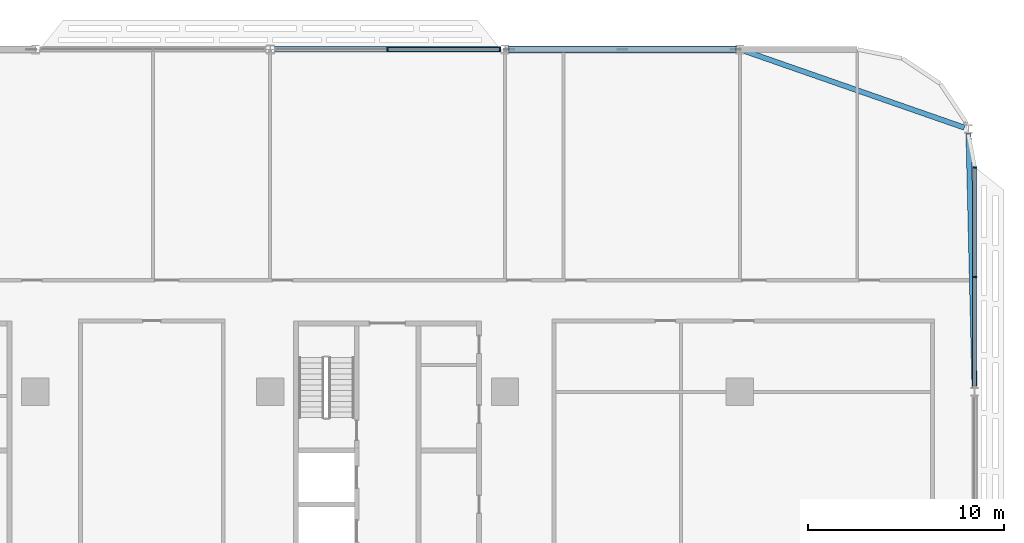
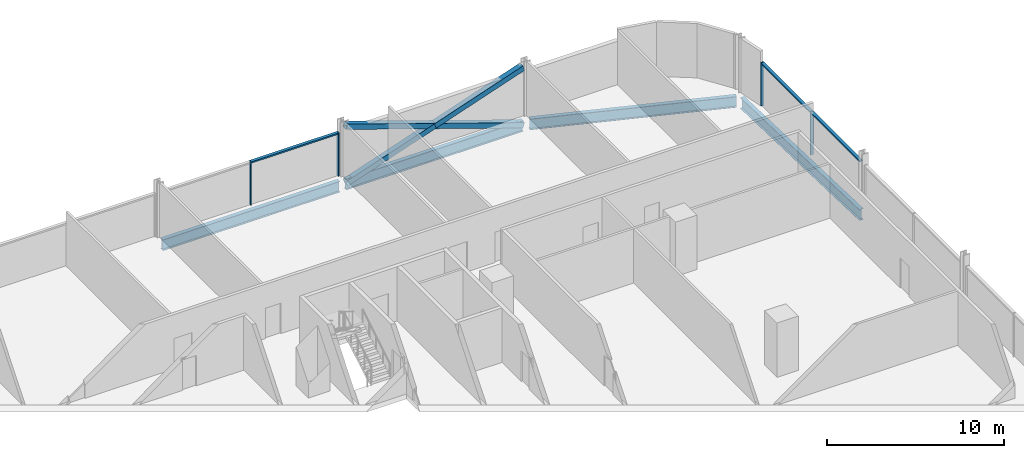
# One storey, part 10 of 29: 10 members, 4 beams, 2 elements without a shape of their own.
"""IFC4 building model written with IfcOpenShell, lengths in metres."""

from ifc_helpers import new_model, si_unit, direction, frame, origin, origin_2d, place, context, subcontext, project, spatial, rectangle, hollow_rectangle, i_section, extrude, material, material_profile, profile_set, type_object, element, aggregate, save


model = new_model("IFC4")

# Units and contexts
model_context = context("Model", 3, precision=1e-05, world=origin(), true_north=direction((0.0, 1.0)))
body_context = subcontext(model_context, "Body", "Model", "MODEL_VIEW")
ifc_project = project(units=[si_unit("LENGTHUNIT", "METRE"), si_unit("AREAUNIT", "SQUARE_METRE"), si_unit("VOLUMEUNIT", "CUBIC_METRE"), si_unit("PLANEANGLEUNIT", "RADIAN"), si_unit("MASSUNIT", "GRAM", prefix="KILO")], contexts=[model_context])

# Site, building, storey
site_placement = place(None, origin())
site = spatial("IfcSite", under=ifc_project, at=site_placement, CompositionType="ELEMENT")
building_placement = place(site_placement, origin())
building = spatial("IfcBuilding", under=site, at=building_placement, Name="Mahtab Terrace Research Tower", CompositionType="ELEMENT")
storey_placement = place(building_placement, frame((0.0, 0.0, 97.10009765625)))
storey = spatial("IfcBuildingStorey", under=building, at=storey_placement, Name="L22", CompositionType="ELEMENT", Elevation=97.10009765625)

# Members
ifc_material_1 = material(Name="Steel ASTM A500 Gr C", Category="steel")
ifc_material_profile_1 = material_profile(ifc_material_1, hollow_rectangle(XDim=0.355712890625, YDim=0.355712890625, WallThickness=0.01904296875, at=origin_2d()), Name="HSS14X14X3/4")
ifc_profile_set_1 = profile_set([ifc_material_profile_1], Name="Steel ASTM A500 Gr C")
member_type_1 = type_object("IfcMemberType", Name="HSS 14x14x3/4 brace XB141434", PredefinedType="BRACE", material=ifc_profile_set_1)
member_1_placement = place(storey_placement, frame((41.79052734375, 29.0, -0.64697265625), z_axis=(-0.946292853795, 0.0, 0.323310740397), x_axis=(0.0, -1.0, 0.0)))
element("IfcMember", 1, at=member_1_placement, inside=storey, type_object=member_type_1, Name="Exoskeleton brace L22 02 a", PredefinedType="BRACE", context=body_context, shape_type="SweptSolid", body=[
    extrude(hollow_rectangle(XDim=0.355712890625, YDim=0.355712890625, WallThickness=0.01904296875, at=origin_2d()), origin(), (0.0, 0.0, 1.0), 12.23828125),
])
for number, where, z_axis, x_axis, name in (
    (2, (30.20947265625, 29.0, -0.64697265625), (0.946286750388, 0.0, 0.323328603809), (0.0, 1.0, 0.0), "Exoskeleton brace L22 02 b1"),
    (3, (36.0, 29.0, 1.33154296875), (0.946298956945, 0.0, 0.323292876639), (0.0, 1.0, 0.0), "Exoskeleton brace L22 02 b2"),
):
    element("IfcMember", number, at=place(storey_placement, frame(where, z_axis=z_axis, x_axis=x_axis)), inside=storey, type_object=member_type_1, Name=name, PredefinedType="BRACE", context=body_context, shape_type="SweptSolid", body=[
        extrude(hollow_rectangle(XDim=0.355712890625, YDim=0.355712890625, WallThickness=0.01904296875, at=origin_2d()), origin(), (0.0, 0.0, 1.0), 6.119140625),
    ])

# Curtain wall, members
ifc_material_2 = material(Name="Laboratory ribbon curtain wall")
curtain_wall_type = type_object("IfcCurtainWallType", Name="Laboratory ribbon curtain wall", PredefinedType="NOTDEFINED", material=ifc_material_2)
curtain_wall_1_placement = place(storey_placement, origin())
curtain_wall_1 = element("IfcCurtainWall", 4, at=curtain_wall_1_placement, inside=storey, type_object=curtain_wall_type, Name="EN.L22.3.5", PredefinedType="NOTDEFINED")
ifc_material_3 = material(Name="Natural anodised aluminium", Category="aluminium")
ifc_material_profile_2 = material_profile(ifc_material_3, rectangle(XDim=0.199951171875, YDim=0.06494140625, at=origin_2d()), Name="MULLION 65x200")
ifc_profile_set_2 = profile_set([ifc_material_profile_2], Name="Natural anodised aluminium")
member_type_2 = type_object("IfcMemberType", Name="Laboratory ribbon curtain wall mullion", PredefinedType="MULLION", material=ifc_profile_set_2)
member_2_placement = place(storey_placement, frame((29.739501953125, 29.0, 0.0), z_axis=(0.0, 0.0, 1.0), x_axis=(0.0, -1.0, 0.0)))
member_2 = element("IfcMember", 5, at=member_2_placement, type_object=member_type_2, Name="CWL-3 mullion 1", PredefinedType="MULLION", context=body_context, shape_type="SweptSolid", body=[
    extrude(rectangle(XDim=0.199951171875, YDim=0.06494140625, at=origin_2d()), origin(), (0.0, 0.0, 1.0), 3.0029296875),
])
member_3_placement = place(storey_placement, frame((24.0, 29.0, 0.0), z_axis=(0.0, 0.0, 1.0), x_axis=(0.0, -1.0, 0.0)))
member_3 = element("IfcMember", 6, at=member_3_placement, type_object=member_type_2, Name="CWL-3 mullion 2", PredefinedType="MULLION", context=body_context, shape_type="SweptSolid", body=[
    extrude(rectangle(XDim=0.199951171875, YDim=0.06494140625, at=origin_2d()), origin(), (0.0, 0.0, 1.0), 3.0029296875),
])

curtain_wall_2_placement = place(storey_placement, origin())
curtain_wall_2 = element("IfcCurtainWall", 7, at=curtain_wall_2_placement, inside=storey, type_object=curtain_wall_type, Name="EN.L22.18.38", PredefinedType="NOTDEFINED")
member_4_placement = place(storey_placement, frame((54.0, 17.364013671875, 0.0), z_axis=(0.0, 0.0, 1.0), x_axis=(-1.0, 0.0, 0.0)))
member_4 = element("IfcMember", 8, at=member_4_placement, type_object=member_type_2, Name="CWL-3 mullion 2", PredefinedType="MULLION", context=body_context, shape_type="SweptSolid", body=[
    extrude(rectangle(XDim=0.199951171875, YDim=0.06494140625, at=origin_2d()), origin(), (0.0, 0.0, 1.0), 3.0029296875),
])
member_5_placement = place(storey_placement, frame((54.0, 22.967529296875, 0.0), z_axis=(0.0, 0.0, 1.0), x_axis=(-1.0, 0.0, 0.0)))
member_5 = element("IfcMember", 9, at=member_5_placement, type_object=member_type_2, Name="CWL-3 mullion 3", PredefinedType="MULLION", context=body_context, shape_type="SweptSolid", body=[
    extrude(rectangle(XDim=0.199951171875, YDim=0.06494140625, at=origin_2d()), origin(), (0.0, 0.0, 1.0), 3.0029296875),
])

# Member
ifc_material_profile_3 = material_profile(ifc_material_3, rectangle(XDim=0.199951171875, YDim=0.10009765625, at=origin_2d()), Name="TRANSOM 100x200")
ifc_profile_set_3 = profile_set([ifc_material_profile_3], Name="Natural anodised aluminium")
member_type_3 = type_object("IfcMemberType", Name="Laboratory ribbon curtain wall transom", PredefinedType="USERDEFINED", material=ifc_profile_set_3)
member_6_placement = place(storey_placement, frame((29.70703125, 29.0, 2.952880859375), z_axis=(-1.0, 0.0, 0.0), x_axis=(0.0, -1.0, 0.0)))
member_6 = element("IfcMember", 10, at=member_6_placement, type_object=member_type_3, Name="CWL-3 transom 1", ObjectType="TRANSOM", PredefinedType="USERDEFINED", context=body_context, shape_type="SweptSolid", body=[
    extrude(rectangle(XDim=0.199951171875, YDim=0.10009765625, at=origin_2d()), origin(), (0.0, 0.0, 1.0), 5.674560546875),
])

aggregate(curtain_wall_1, [member_2, member_3, member_6])

member_7_placement = place(storey_placement, frame((54.0, 11.79296875, 2.952880859375), z_axis=(0.0, 1.0, 0.0), x_axis=(-1.0, 0.0, 0.0)))
member_7 = element("IfcMember", 11, at=member_7_placement, type_object=member_type_3, Name="CWL-3 transom 1", ObjectType="TRANSOM", PredefinedType="USERDEFINED", context=body_context, shape_type="SweptSolid", body=[
    extrude(rectangle(XDim=0.199951171875, YDim=0.10009765625, at=origin_2d()), origin(), (0.0, 0.0, 1.0), 5.53857421875),
])

member_8_placement = place(storey_placement, frame((54.0, 17.396484375, 2.952880859375), z_axis=(0.0, 1.0, 0.0), x_axis=(-1.0, 0.0, 0.0)))
member_8 = element("IfcMember", 12, at=member_8_placement, type_object=member_type_3, Name="CWL-3 transom 2", ObjectType="TRANSOM", PredefinedType="USERDEFINED", context=body_context, shape_type="SweptSolid", body=[
    extrude(rectangle(XDim=0.199951171875, YDim=0.10009765625, at=origin_2d()), origin(), (0.0, 0.0, 1.0), 5.53857421875),
])

aggregate(curtain_wall_2, [member_4, member_5, member_7, member_8])

# Beams
ifc_material_4 = material(Name="Steel ASTM A992 Gr 50", Category="steel")
ifc_material_profile_4 = material_profile(ifc_material_4, i_section(OverallWidth=0.2666015625, OverallDepth=0.7568359375, WebThickness=0.013916015625, FlangeThickness=0.019287109375, at=origin_2d()), Name="W30X108")
ifc_profile_set_4 = profile_set([ifc_material_profile_4], Name="Steel ASTM A992 Gr 50")
beam_type = type_object("IfcBeamType", Name="W30x108 beam BS30108", PredefinedType="BEAM", material=ifc_profile_set_4)
beam_1_placement = place(storey_placement, frame((53.472412109375, 25.0, -0.718505859375), z_axis=(-0.944250501583, 0.32922786981, 0.0), x_axis=(-0.32922786981, -0.944250501583, 0.0)))
element("IfcBeam", 13, at=beam_1_placement, inside=storey, type_object=beam_type, Name="Spandrel beam L22 01", PredefinedType="BEAM", context=body_context, shape_type="SweptSolid", body=[
    extrude(i_section(OverallWidth=0.2666015625, OverallDepth=0.7568359375, WebThickness=0.013916015625, FlangeThickness=0.019287109375, at=origin_2d()), origin(), (0.0, 0.0, 1.0), 11.927978515625),
])
for number, where, z_axis, x_axis, name in (
    (14, (41.79052734375, 29.0, -0.718505859375), (-1.0, 0.0, 0.0), (0.0, -1.0, 0.0), "Spandrel beam L22 02"),
    (15, (29.79052734375, 29.0, -0.718505859375), (-1.0, 0.0, 0.0), (0.0, -1.0, 0.0), "Spandrel beam L22 03"),
):
    element("IfcBeam", number, at=place(storey_placement, frame(where, z_axis=z_axis, x_axis=x_axis)), inside=storey, type_object=beam_type, Name=name, PredefinedType="BEAM", context=body_context, shape_type="SweptSolid", body=[
        extrude(i_section(OverallWidth=0.2666015625, OverallDepth=0.7568359375, WebThickness=0.013916015625, FlangeThickness=0.019287109375, at=origin_2d()), origin(), (0.0, 0.0, 1.0), 11.5810546875),
    ])
beam_2_placement = place(storey_placement, frame((53.99462890625, 11.727294921875, -0.718505859375), z_axis=(-0.023668910773, 0.99971985209, 0.0), x_axis=(-0.99971985209, -0.023668910773, 0.0)))
element("IfcBeam", 16, at=beam_2_placement, inside=storey, type_object=beam_type, Name="Spandrel beam L22 22", PredefinedType="BEAM", context=body_context, shape_type="SweptSolid", body=[
    extrude(i_section(OverallWidth=0.2666015625, OverallDepth=0.7568359375, WebThickness=0.013916015625, FlangeThickness=0.019287109375, at=origin_2d()), origin(), (0.0, 0.0, 1.0), 12.97607421875),
])

save(model, "model.ifc")
